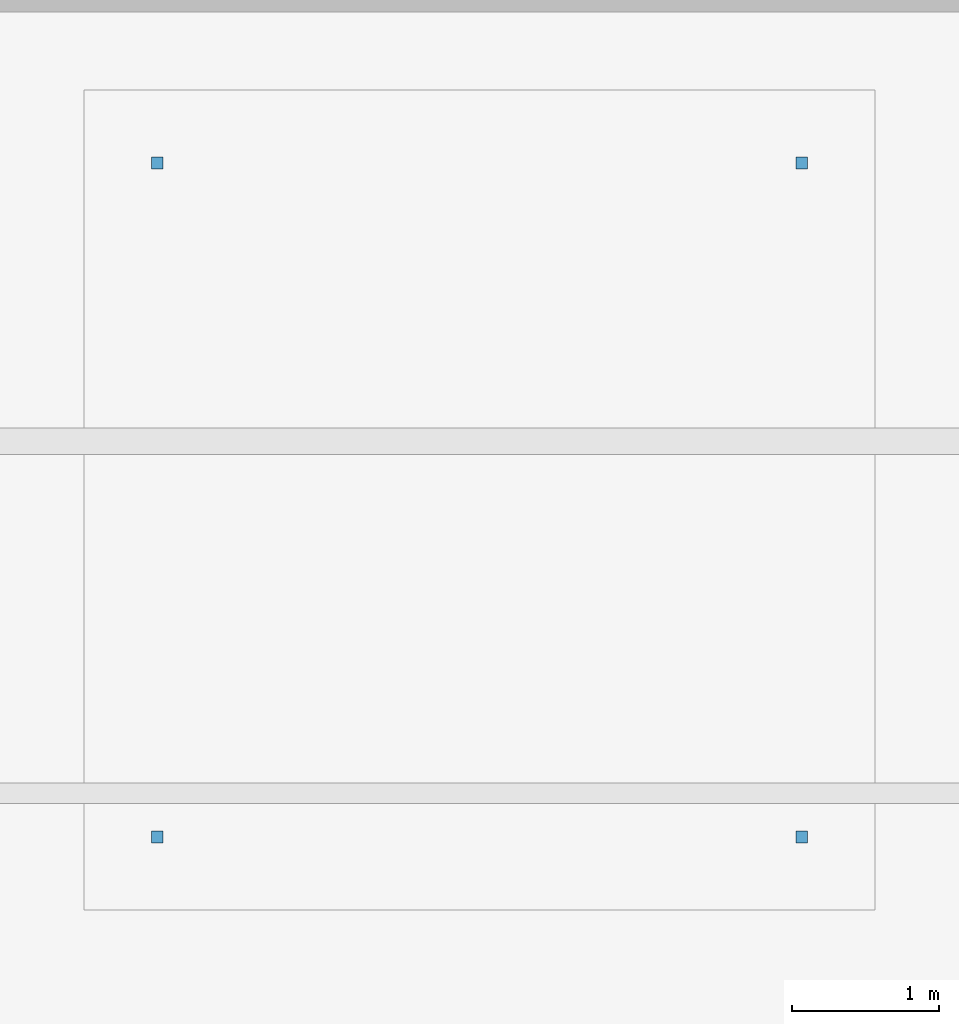
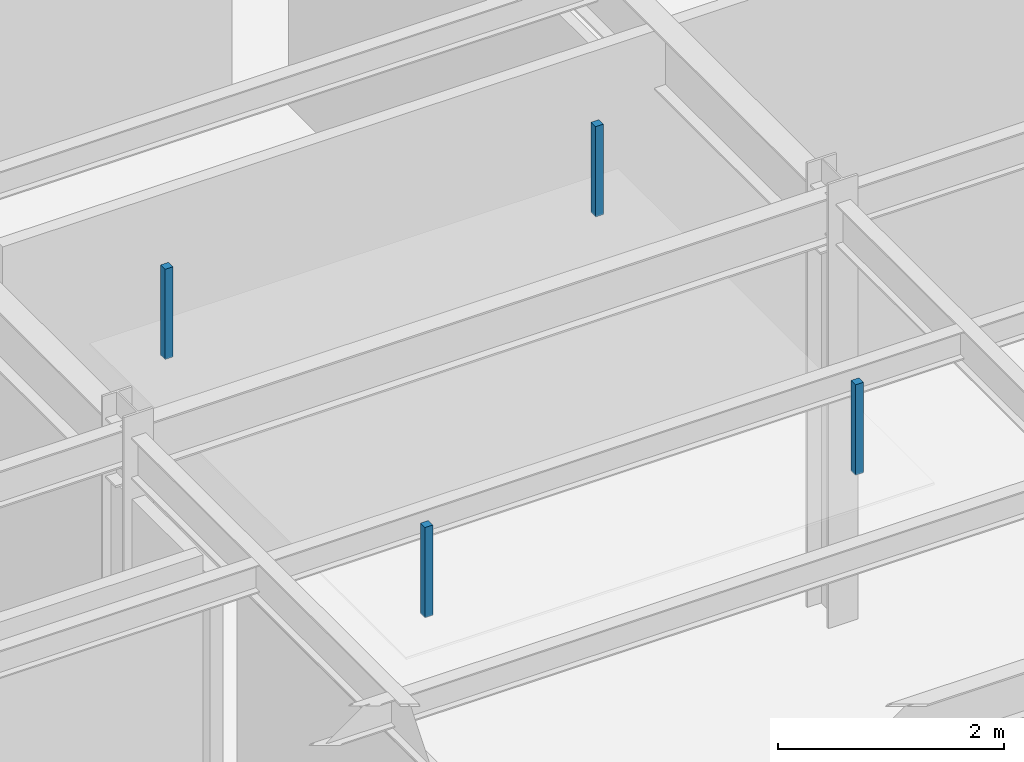
# One storey, part 112 of 126: 4 discrete accessories.
"""IFC4 building model written with IfcOpenShell, lengths in metres."""

from ifc_helpers import new_model, si_unit, direction, frame, origin, origin_2d, place, context, subcontext, project, spatial, rectangle, extrude, material, type_object, element, save


model = new_model("IFC4")

# Units and contexts
model_context = context("Model", 3, precision=1e-05, world=origin(), true_north=direction((0.0, 1.0)))
body_context = subcontext(model_context, "Body", "Model", "MODEL_VIEW")
ifc_project = project(units=[si_unit("LENGTHUNIT", "METRE"), si_unit("AREAUNIT", "SQUARE_METRE"), si_unit("VOLUMEUNIT", "CUBIC_METRE"), si_unit("PLANEANGLEUNIT", "RADIAN"), si_unit("MASSUNIT", "GRAM", prefix="KILO")], contexts=[model_context])

# Site, building, storey
site_placement = place(None, origin())
site = spatial("IfcSite", under=ifc_project, at=site_placement, CompositionType="ELEMENT")
building_placement = place(site_placement, origin())
building = spatial("IfcBuilding", under=site, at=building_placement, Name="Solvadek Multi-Sports Hall", CompositionType="ELEMENT")
storey_placement = place(building_placement, frame((0.0, 0.0, 9.60009765625)))
storey = spatial("IfcBuildingStorey", under=building, at=storey_placement, Name="L02", CompositionType="ELEMENT", Elevation=9.60009765625)

# Discrete accessories
ifc_material = material(Name="Steel E250 (250 MPa)", Category="steel")
discrete_accessory_type = type_object("IfcDiscreteAccessoryType", Name="ENV-BRK-CLEAT", PredefinedType="BRACKET", material=ifc_material)
for number, where, z_axis, x_axis, name in (
    (1, (37.5, 89.699951171875, 3.61474609375), (0.0, 0.0, 1.0), (1.0, 0.0, 0.0), "L02 Ceiling Suspension Hanger #6.1"),
    (2, (41.89990234375, 89.699951171875, 3.61474609375), (0.0, 0.0, 1.0), (1.0, 0.0, 0.0), "L02 Ceiling Suspension Hanger #6.2"),
    (3, (37.5, 94.300048828125, 3.61474609375), (0.0, 0.0, 1.0), (1.0, 0.0, 0.0), "L02 Ceiling Suspension Hanger #6.3"),
    (4, (41.89990234375, 94.300048828125, 3.61474609375), (0.0, 0.0, 1.0), (1.0, 0.0, 0.0), "L02 Ceiling Suspension Hanger #6.4"),
):
    element("IfcDiscreteAccessory", number, at=place(storey_placement, frame(where, z_axis=z_axis, x_axis=x_axis)), inside=storey, type_object=discrete_accessory_type, Name=name, PredefinedType="BRACKET", context=body_context, shape_type="SweptSolid", body=[
        extrude(rectangle(XDim=0.080078125, YDim=0.080078125, at=origin_2d()), origin(), (0.0, 0.0, 1.0), 0.97509765625),
    ])

save(model, "model.ifc")
